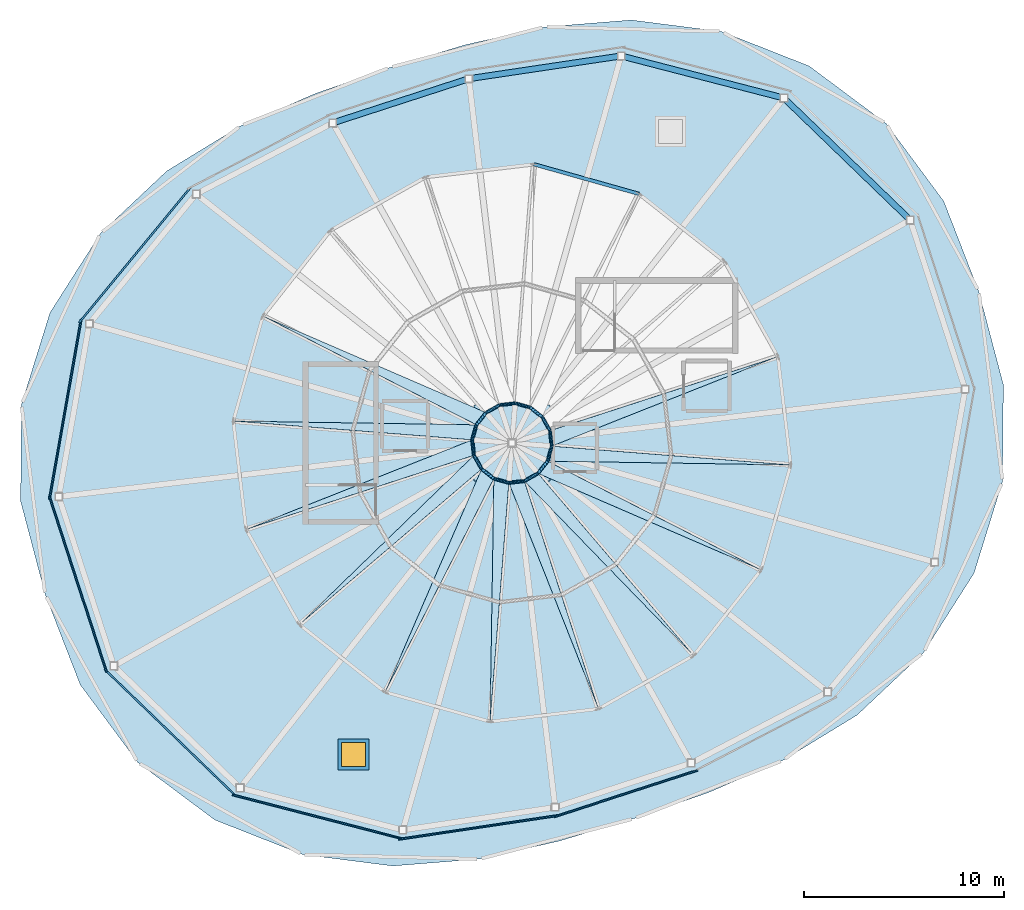
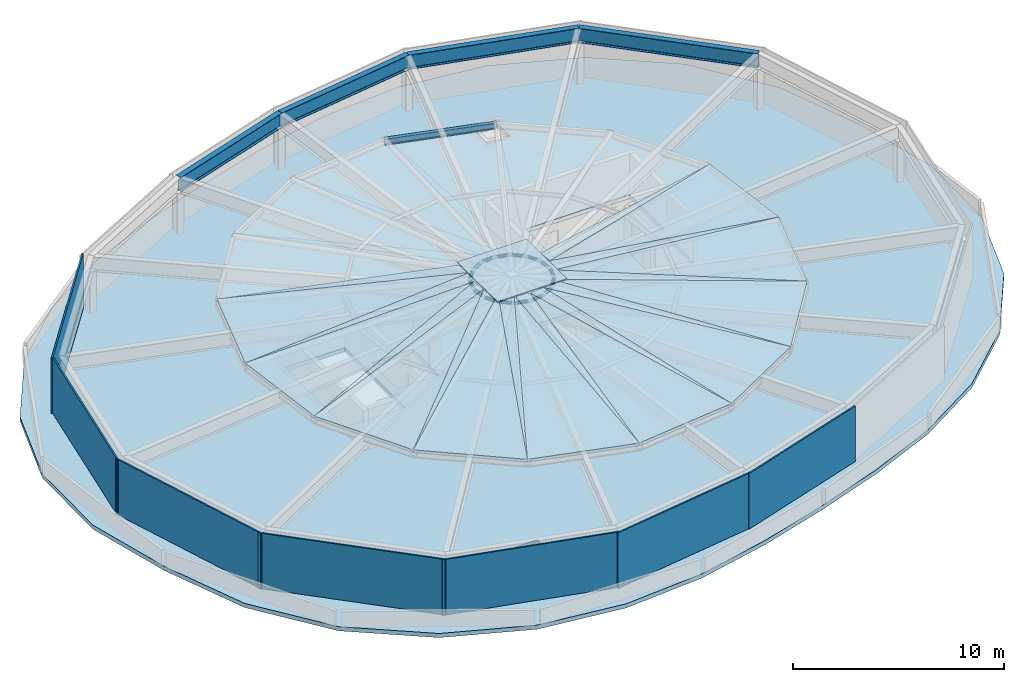
# One storey, part 3 of 9: 23 slabs, 16 members, 8 plates, 5 beams, 1 door, 1 opening.
"""IFC4 building model written with IfcOpenShell, lengths in metres."""

import ifcopenshell
import ifcopenshell.guid

model = None  # the IFC model being written
_history = None  # IfcOwnerHistory: only IFC2X3 demands one
_inside = {}  # id of a spatial element -> (the spatial element, [elements in it])
_under = {}  # id of a project, library or spatial element -> (it, [spatial elements below it])
_declared = {}  # id of a project -> (the project, [libraries it declares])
_typed = {}  # id of a type object -> (the type object, [elements of that type])
_made_of = {}  # id of a material, layer set ... -> (it, [elements and type objects made of it])


def new_model(schema):
    """Start an empty IFC model of exactly this schema.

    Asked for "IFC4X3", IfcOpenShell would pick the latest addendum, in which some entities
    have other attributes; the version numbers below select the first issue.
    IFC2X3 requires an IfcOwnerHistory on every rooted entity: one is made here for all.
    """
    global model, _history
    if schema == "IFC4X3":
        model = ifcopenshell.file(schema_version=(4, 3, 0, 0))
    else:
        model = ifcopenshell.file(schema=schema)
    _inside.clear()
    _under.clear()
    _declared.clear()
    _typed.clear()
    _made_of.clear()
    _history = None
    if model.schema == "IFC2X3":
        org = make("IfcOrganization", Name="unknown")
        user = make(
            "IfcPersonAndOrganization",
            ThePerson=make("IfcPerson", FamilyName="unknown"),
            TheOrganization=org,
        )
        app = make(
            "IfcApplication",
            ApplicationDeveloper=org,
            Version="unknown",
            ApplicationFullName="unknown",
            ApplicationIdentifier="unknown",
        )
        _history = make(
            "IfcOwnerHistory",
            OwningUser=user,
            OwningApplication=app,
            ChangeAction="ADDED",
            CreationDate=0,
        )
    return model


def make(cls, **values):
    """One entity of the class cls with the attributes given. An attribute that is None is left unset."""
    return model.create_entity(
        cls, **{name: value for name, value in values.items() if value is not None}
    )


def rooted(cls, **values):
    """An entity with a GlobalId (a new one), such as an element, a storey or a relation."""
    return make(cls, GlobalId=ifcopenshell.guid.new(), OwnerHistory=_history, **values)


def si_unit(unit_type, name, prefix=None):
    """IfcSIUnit, for example si_unit("LENGTHUNIT", "METRE", prefix="MILLI")."""
    return make("IfcSIUnit", UnitType=unit_type, Prefix=prefix, Name=name)


def assignment(units):
    """IfcUnitAssignment: the units of a project."""
    return None if units is None else make("IfcUnitAssignment", Units=units)


def point(xyz):
    """IfcCartesianPoint."""
    return None if xyz is None else make("IfcCartesianPoint", Coordinates=xyz)


def direction(xyz):
    """IfcDirection."""
    return None if xyz is None else make("IfcDirection", DirectionRatios=xyz)


def frame(location, z_axis=None, x_axis=None):
    """IfcAxis2Placement3D, a coordinate frame: its origin and axes. An axis left out is left unset."""
    return make(
        "IfcAxis2Placement3D",
        Location=point(location),
        Axis=direction(z_axis),
        RefDirection=direction(x_axis),
    )


def frame_2d(location, x_axis=None):
    """IfcAxis2Placement2D, a coordinate frame in the plane: its origin and x axis."""
    return make(
        "IfcAxis2Placement2D", Location=point(location), RefDirection=direction(x_axis)
    )


def origin():
    """The frame at (0, 0, 0) with its axes left unset."""
    return frame((0.0, 0.0, 0.0))


def origin_2d():
    """The frame at (0, 0) in the plane with its x axis left unset."""
    return frame_2d((0.0, 0.0))


def place(relative_to, where):
    """IfcLocalPlacement: puts the frame where relative to a parent placement (None: the world)."""
    return make(
        "IfcLocalPlacement", PlacementRelTo=relative_to, RelativePlacement=where
    )


def context(
    kind, dimensions, precision=None, world=None, true_north=None, identifier=None
):
    """IfcGeometricRepresentationContext, for example the 3D "Model" context."""
    return make(
        "IfcGeometricRepresentationContext",
        ContextIdentifier=identifier,
        ContextType=kind,
        CoordinateSpaceDimension=dimensions,
        Precision=precision,
        WorldCoordinateSystem=world,
        TrueNorth=true_north,
    )


def subcontext(parent, identifier, kind, view, scale=None):
    """IfcGeometricRepresentationSubContext, for example "Body" below "Model"."""
    return make(
        "IfcGeometricRepresentationSubContext",
        ContextIdentifier=identifier,
        ContextType=kind,
        ParentContext=parent,
        TargetScale=scale,
        TargetView=view,
    )


def project(units=None, contexts=None):
    """IfcProject with its units and contexts."""
    return rooted(
        "IfcProject",
        Name="project",
        RepresentationContexts=contexts,
        UnitsInContext=assignment(units),
    )


def spatial(cls, under=None, at=None, **own):
    """A site, building, storey or space (cls), placed at a placement, below another one or the project."""
    s = rooted(cls, ObjectPlacement=at, **own)
    if under is not None:
        _under.setdefault(under.id(), (under, []))[1].append(s)
    return s


def polyline(points):
    """IfcPolyline through the points."""
    return make("IfcPolyline", Points=[point(p) for p in points])


def profile(cls, at=None, kind="AREA", **sizes):
    """A parametric profile (cls). Its sizes go by their IFC names, for example OverallWidth=200.0."""
    return make(cls, ProfileType=kind, Position=at, **sizes)


def rectangle(**sizes):
    """IfcRectangleProfileDef."""
    return profile("IfcRectangleProfileDef", **sizes)


def hollow_circle(**sizes):
    """IfcCircleHollowProfileDef."""
    return profile("IfcCircleHollowProfileDef", **sizes)


def i_section(**sizes):
    """IfcIShapeProfileDef."""
    return profile("IfcIShapeProfileDef", **sizes)


def outline(outer, holes=None, kind="AREA"):
    """IfcArbitraryClosedProfileDef: a profile drawn as a closed curve; with holes, ...WithVoids."""
    if holes is None:
        return make("IfcArbitraryClosedProfileDef", ProfileType=kind, OuterCurve=outer)
    return make(
        "IfcArbitraryProfileDefWithVoids",
        ProfileType=kind,
        OuterCurve=outer,
        InnerCurves=holes,
    )


def extrude(swept, where, along, depth):
    """IfcExtrudedAreaSolid: the profile swept, set in the frame where, extruded along a direction by depth."""
    return make(
        "IfcExtrudedAreaSolid",
        SweptArea=swept,
        Position=where,
        ExtrudedDirection=direction(along),
        Depth=depth,
    )


def shape(context_of_items, identifier, shape_type, items):
    """IfcShapeRepresentation: the items that make up one representation, for example the "Body"."""
    return make(
        "IfcShapeRepresentation",
        ContextOfItems=context_of_items,
        RepresentationIdentifier=identifier,
        RepresentationType=shape_type,
        Items=items,
    )


def material(Name=None, Category=None):
    """IfcMaterial."""
    return make("IfcMaterial", Name=Name, Category=Category)


def layer(
    of_material, thickness, ventilated=None, Name=None, Category=None, Priority=None
):
    """IfcMaterialLayer: one layer of a wall or slab, of a material (None: an air gap)."""
    return make(
        "IfcMaterialLayer",
        Material=of_material,
        LayerThickness=thickness,
        IsVentilated=ventilated,
        Name=Name,
        Category=Category,
        Priority=Priority,
    )


def layer_set(layers, Name=None):
    """IfcMaterialLayerSet."""
    return make("IfcMaterialLayerSet", MaterialLayers=layers, LayerSetName=Name)


def material_profile(
    of_material, cross_section, Name=None, Category=None, Priority=None
):
    """IfcMaterialProfile: a cross section and its material."""
    return make(
        "IfcMaterialProfile",
        Name=Name,
        Material=of_material,
        Profile=cross_section,
        Priority=Priority,
        Category=Category,
    )


def profile_set(profiles, Name=None, composite=None):
    """IfcMaterialProfileSet."""
    return make(
        "IfcMaterialProfileSet",
        Name=Name,
        MaterialProfiles=profiles,
        CompositeProfile=composite,
    )


def made_of(thing, what):
    """Note that an element or type object is made of a material, layer set ...; save() writes the relation."""
    if what is not None:
        _made_of.setdefault(what.id(), (what, []))[1].append(thing)
    return thing


def type_object(cls, material=None, **own):
    """A type object (cls), such as IfcWallType, which elements share."""
    return made_of(rooted(cls, **own), material)


def element(
    cls,
    number,
    at=None,
    inside=None,
    cuts=None,
    type_object=None,
    material=None,
    context=None,
    identifier="Body",
    shape_type=None,
    held_by="IfcProductDefinitionShape",
    body=None,
    shapes=None,
    **own,
):
    """One element of the class cls, such as IfcWall. Its Tag is "e" and its number.

    at: its placement. inside: the storey or other place that contains it. cuts: it is an
    opening in that element (IfcRelVoidsElement). A single representation is given by context,
    identifier, shape_type and body (its items); several are given by shapes. held_by: the class
    of the entity that holds the representations. save() writes the other relations.
    """
    e = rooted(cls, Tag="e%d" % number, ObjectPlacement=at, **own)
    if body is not None:
        shapes = [shape(context, identifier, shape_type, body)]
    if shapes is not None:
        e.Representation = make(held_by, Representations=shapes)
    if inside is not None:
        _inside.setdefault(inside.id(), (inside, []))[1].append(e)
    if cuts is not None:
        rooted(
            "IfcRelVoidsElement", RelatingBuildingElement=cuts, RelatedOpeningElement=e
        )
    if type_object is not None:
        _typed.setdefault(type_object.id(), (type_object, []))[1].append(e)
    return made_of(e, material)


def fill(opening, filler):
    """IfcRelFillsElement: the door or window that sits in an opening."""
    return rooted(
        "IfcRelFillsElement",
        RelatingOpeningElement=opening,
        RelatedBuildingElement=filler,
    )


def aggregate(whole, parts):
    """IfcRelAggregates: a whole, such as a stair, and the parts it consists of."""
    return rooted("IfcRelAggregates", RelatingObject=whole, RelatedObjects=parts)


def save(model, path):
    """Write the relations noted so far, then the file.

    IfcRelAggregates (storeys below a building ...), IfcRelContainedInSpatialStructure (elements
    in a storey), IfcRelDefinesByType, IfcRelAssociatesMaterial and IfcRelDeclares: one each for
    every whole, place, type object, material and project.
    """
    for whole, parts in _under.values():
        aggregate(whole, parts)
    for where, things in _inside.values():
        rooted(
            "IfcRelContainedInSpatialStructure",
            RelatedElements=things,
            RelatingStructure=where,
        )
    for kind, things in _typed.values():
        rooted("IfcRelDefinesByType", RelatedObjects=things, RelatingType=kind)
    for what, things in _made_of.values():
        rooted("IfcRelAssociatesMaterial", RelatedObjects=things, RelatingMaterial=what)
    for by, libraries in _declared.values():
        rooted("IfcRelDeclares", RelatingContext=by, RelatedDefinitions=libraries)
    model.write(path)


model = new_model("IFC4")

# Units and contexts
model_context = context("Model", 3, precision=1e-05, world=origin(), true_north=direction((0.0, 1.0)))
body_context = subcontext(model_context, "Body", "Model", "MODEL_VIEW")
ifc_project = project(units=[si_unit("LENGTHUNIT", "METRE"), si_unit("AREAUNIT", "SQUARE_METRE"), si_unit("VOLUMEUNIT", "CUBIC_METRE"), si_unit("PLANEANGLEUNIT", "RADIAN"), si_unit("MASSUNIT", "GRAM", prefix="KILO")], contexts=[model_context])

# Site, building, storey
site_placement = place(None, origin())
site = spatial("IfcSite", under=ifc_project, at=site_placement, CompositionType="ELEMENT")
building_placement = place(site_placement, origin())
building = spatial("IfcBuilding", under=site, at=building_placement, Name="Kazma Halo Residences", CompositionType="ELEMENT")
storey_placement = place(building_placement, frame((0.0, 0.0, 377.60009765625)))
storey = spatial("IfcBuildingStorey", under=building, at=storey_placement, Name="Roof", CompositionType="ELEMENT", Elevation=377.60009765625)

# Beams
ifc_material_1 = material(Name="Steel S355", Category="steel")
ifc_material_profile_1 = material_profile(ifc_material_1, i_section(OverallWidth=0.299072265625, OverallDepth=0.845947265625, WebThickness=0.015380859375, FlangeThickness=0.0244140625, FilletRadius=0.02197265625, at=origin_2d()), Name="W840x210")
ifc_profile_set_1 = profile_set([ifc_material_profile_1], Name="Steel S355")
beam_type_1 = type_object("IfcBeamType", Name="BM-RING-W840", PredefinedType="BEAM", material=ifc_profile_set_1)
beam_1_placement = place(storey_placement, frame((67.940673828125, 53.167236328125, 2.77685546875), z_axis=(-0.719330630477, 0.694667866003, 0.0), x_axis=(-0.694667866003, -0.719330630477, 0.0)))
element("IfcBeam", 1, at=beam_1_placement, inside=storey, type_object=beam_type_1, Name="Crown top perimeter ring beam 01", PredefinedType="BEAM", context=body_context, shape_type="SweptSolid", body=[
    extrude(i_section(OverallWidth=0.299072265625, OverallDepth=0.845947265625, WebThickness=0.015380859375, FlangeThickness=0.0244140625, FilletRadius=0.02197265625, at=origin_2d()), origin(), (0.0, 0.0, 1.0), 8.79052734375),
])
beam_2_placement = place(storey_placement, frame((61.617431640625, 59.273681640625, 2.77685546875), z_axis=(-0.968129821283, 0.250448895271, 0.0), x_axis=(-0.250448895271, -0.968129821283, 0.0)))
element("IfcBeam", 2, at=beam_2_placement, inside=storey, type_object=beam_type_1, Name="Crown top perimeter ring beam 02", PredefinedType="BEAM", context=body_context, shape_type="SweptSolid", body=[
    extrude(i_section(OverallWidth=0.299072265625, OverallDepth=0.845947265625, WebThickness=0.015380859375, FlangeThickness=0.0244140625, FilletRadius=0.02197265625, at=origin_2d()), origin(), (0.0, 0.0, 1.0), 8.41943359375),
])
beam_3_placement = place(storey_placement, frame((53.46630859375, 61.38232421875, 2.77685546875), z_axis=(-0.989034152337, -0.147686984904, 0.0), x_axis=(0.147686984904, -0.989034152337, 0.0)))
element("IfcBeam", 3, at=beam_3_placement, inside=storey, type_object=beam_type_1, Name="Crown top perimeter ring beam 03", PredefinedType="BEAM", context=body_context, shape_type="SweptSolid", body=[
    extrude(i_section(OverallWidth=0.299072265625, OverallDepth=0.845947265625, WebThickness=0.015380859375, FlangeThickness=0.0244140625, FilletRadius=0.02197265625, at=origin_2d()), origin(), (0.0, 0.0, 1.0), 7.7099609375),
])
beam_4_placement = place(storey_placement, frame((45.8408203125, 60.24365234375, 2.77685546875), z_axis=(-0.951067102, -0.308984413026, 0.0), x_axis=(0.308984413026, -0.951067102, 0.0)))
element("IfcBeam", 4, at=beam_4_placement, inside=storey, type_object=beam_type_1, Name="Crown top perimeter ring beam 04", PredefinedType="BEAM", context=body_context, shape_type="SweptSolid", body=[
    extrude(i_section(OverallWidth=0.299072265625, OverallDepth=0.845947265625, WebThickness=0.015380859375, FlangeThickness=0.0244140625, FilletRadius=0.02197265625, at=origin_2d()), origin(), (0.0, 0.0, 1.0), 7.168212890625),
])
ifc_material_profile_2 = material_profile(ifc_material_1, i_section(OverallWidth=0.1708984375, OverallDepth=0.35498046875, WebThickness=0.007080078125, FlangeThickness=0.01171875, FilletRadius=0.013916015625, at=origin_2d()), Name="W360x51")
ifc_profile_set_2 = profile_set([ifc_material_profile_2], Name="Steel S355")
beam_type_2 = type_object("IfcBeamType", Name="BM-SPN-W360", PredefinedType="BEAM", material=ifc_profile_set_2)
beam_5_placement = place(storey_placement, frame((54.35595703125, 54.47412109375, 2.949951171875), z_axis=(-0.962461052499, 0.271419826878, 0.0), x_axis=(-0.271419826878, -0.962461052499, 0.0)))
element("IfcBeam", 5, at=beam_5_placement, inside=storey, type_object=beam_type_2, Name="Crown skylight eave ring beam 03", PredefinedType="BEAM", context=body_context, shape_type="SweptSolid", body=[
    extrude(i_section(OverallWidth=0.1708984375, OverallDepth=0.35498046875, WebThickness=0.007080078125, FlangeThickness=0.01171875, FilletRadius=0.013916015625, at=origin_2d()), origin(), (0.0, 0.0, 1.0), 5.462646484375),
])

# Members
ifc_material_profile_3 = material_profile(ifc_material_1, hollow_circle(Radius=0.084228515625, WallThickness=0.00634765625, at=origin_2d()), Name="CHS168.3x6.3")
ifc_profile_set_3 = profile_set([ifc_material_profile_3], Name="Steel S355")
member_type = type_object("IfcMemberType", Name="MBR-BRAC-CHS168", PredefinedType="COLLAR", material=ifc_profile_set_3)
member_1_placement = place(storey_placement, frame((49.902099609375, 42.617919921875, 3.841796875), z_axis=(-0.488641472077, 0.872484677095, 0.0), x_axis=(-0.872484677095, -0.488641472077, 0.0)))
element("IfcMember", 6, at=member_1_placement, inside=storey, type_object=member_type, Name="Crown skylight compression collar 01", PredefinedType="COLLAR", context=body_context, shape_type="SweptSolid", body=[
    extrude(hollow_circle(Radius=0.084228515625, WallThickness=0.00634765625, at=origin_2d()), origin(), (0.0, 0.0, 1.0), 0.780517578125),
])
for number, where, z_axis, x_axis, name in (
    (7, (49.520751953125, 43.298828125, 3.841796875), (-0.785275016084, 0.619147114275, 0.0), (-0.619147114275, -0.785275016084, 0.0), "Crown skylight compression collar 02"),
    (8, (48.907958984375, 43.781982421875, 3.841796875), (-0.96241613227, 0.271579064633, 0.0), (-0.271579064633, -0.96241613227, 0.0), "Crown skylight compression collar 03"),
    (9, (48.156982421875, 43.993896484375, 3.841796875), (-0.993056314699, -0.117639941502, 0.0), (0.117639941502, -0.993056314699, 0.0), "Crown skylight compression collar 04"),
):
    element("IfcMember", number, at=place(storey_placement, frame(where, z_axis=z_axis, x_axis=x_axis)), inside=storey, type_object=member_type, Name=name, PredefinedType="COLLAR", context=body_context, shape_type="SweptSolid", body=[
        extrude(hollow_circle(Radius=0.084228515625, WallThickness=0.00634765625, at=origin_2d()), origin(), (0.0, 0.0, 1.0), 0.7802734375),
    ])
member_2_placement = place(storey_placement, frame((47.382080078125, 43.902099609375, 3.841796875), z_axis=(-0.872484677095, -0.488641472077, 0.0), x_axis=(0.488641472077, -0.872484677095, 0.0)))
element("IfcMember", 10, at=member_2_placement, inside=storey, type_object=member_type, Name="Crown skylight compression collar 05", PredefinedType="COLLAR", context=body_context, shape_type="SweptSolid", body=[
    extrude(hollow_circle(Radius=0.084228515625, WallThickness=0.00634765625, at=origin_2d()), origin(), (0.0, 0.0, 1.0), 0.780517578125),
])
for number, where, z_axis, x_axis, name in (
    (11, (46.701171875, 43.520751953125, 3.841796875), (-0.619147114275, -0.785275016084, 0.0), (0.785275016084, -0.619147114275, 0.0), "Crown skylight compression collar 06"),
    (12, (46.218017578125, 42.907958984375, 3.841796875), (-0.271579064633, -0.96241613227, 0.0), (0.96241613227, -0.271579064633, 0.0), "Crown skylight compression collar 07"),
    (13, (46.006103515625, 42.156982421875, 3.841796875), (0.117639941502, -0.993056314699, 0.0), (0.993056314699, 0.117639941502, 0.0), "Crown skylight compression collar 08"),
):
    element("IfcMember", number, at=place(storey_placement, frame(where, z_axis=z_axis, x_axis=x_axis)), inside=storey, type_object=member_type, Name=name, PredefinedType="COLLAR", context=body_context, shape_type="SweptSolid", body=[
        extrude(hollow_circle(Radius=0.084228515625, WallThickness=0.00634765625, at=origin_2d()), origin(), (0.0, 0.0, 1.0), 0.7802734375),
    ])
member_3_placement = place(storey_placement, frame((46.097900390625, 41.382080078125, 3.841796875), z_axis=(0.488641472077, -0.872484677095, 0.0), x_axis=(0.872484677095, 0.488641472077, 0.0)))
element("IfcMember", 14, at=member_3_placement, inside=storey, type_object=member_type, Name="Crown skylight compression collar 09", PredefinedType="COLLAR", context=body_context, shape_type="SweptSolid", body=[
    extrude(hollow_circle(Radius=0.084228515625, WallThickness=0.00634765625, at=origin_2d()), origin(), (0.0, 0.0, 1.0), 0.780517578125),
])
for number, where, z_axis, x_axis, name in (
    (15, (46.479248046875, 40.701171875, 3.841796875), (0.785275016084, -0.619147114275, 0.0), (0.619147114275, 0.785275016084, 0.0), "Crown skylight compression collar 10"),
    (16, (47.092041015625, 40.218017578125, 3.841796875), (0.96241613227, -0.271579064633, 0.0), (0.271579064633, 0.96241613227, 0.0), "Crown skylight compression collar 11"),
    (17, (47.843017578125, 40.006103515625, 3.841796875), (0.993056314699, 0.117639941502, 0.0), (-0.117639941502, 0.993056314699, 0.0), "Crown skylight compression collar 12"),
):
    element("IfcMember", number, at=place(storey_placement, frame(where, z_axis=z_axis, x_axis=x_axis)), inside=storey, type_object=member_type, Name=name, PredefinedType="COLLAR", context=body_context, shape_type="SweptSolid", body=[
        extrude(hollow_circle(Radius=0.084228515625, WallThickness=0.00634765625, at=origin_2d()), origin(), (0.0, 0.0, 1.0), 0.7802734375),
    ])
member_4_placement = place(storey_placement, frame((48.617919921875, 40.097900390625, 3.841796875), z_axis=(0.872484677095, 0.488641472077, 0.0), x_axis=(-0.488641472077, 0.872484677095, 0.0)))
element("IfcMember", 18, at=member_4_placement, inside=storey, type_object=member_type, Name="Crown skylight compression collar 13", PredefinedType="COLLAR", context=body_context, shape_type="SweptSolid", body=[
    extrude(hollow_circle(Radius=0.084228515625, WallThickness=0.00634765625, at=origin_2d()), origin(), (0.0, 0.0, 1.0), 0.780517578125),
])
for number, where, z_axis, x_axis, name in (
    (19, (49.298828125, 40.479248046875, 3.841796875), (0.619147114275, 0.785275016084, 0.0), (-0.785275016084, 0.619147114275, 0.0), "Crown skylight compression collar 14"),
    (20, (49.781982421875, 41.092041015625, 3.841796875), (0.271579064633, 0.96241613227, 0.0), (-0.96241613227, 0.271579064633, 0.0), "Crown skylight compression collar 15"),
    (21, (49.993896484375, 41.843017578125, 3.841796875), (-0.117639941502, 0.993056314699, 0.0), (-0.993056314699, -0.117639941502, 0.0), "Crown skylight compression collar 16"),
):
    element("IfcMember", number, at=place(storey_placement, frame(where, z_axis=z_axis, x_axis=x_axis)), inside=storey, type_object=member_type, Name=name, PredefinedType="COLLAR", context=body_context, shape_type="SweptSolid", body=[
        extrude(hollow_circle(Radius=0.084228515625, WallThickness=0.00634765625, at=origin_2d()), origin(), (0.0, 0.0, 1.0), 0.7802734375),
    ])

# Plates
ifc_material_2 = material(Name="Aluminium AW-6063 T6 Perforated Acoustic Louvre Screen", Category="aluminium")
ifc_layer_1 = layer(ifc_material_2, 0.080078125)
ifc_layer_set_1 = layer_set([ifc_layer_1], Name="Aluminium AW-6063 T6 Perforated Acoustic Louvre Screen")
plate_type_1 = type_object("IfcPlateType", Name="PLT-CROWN-LOUVRE", PredefinedType="SHEET", material=ifc_layer_set_1)
plate_1_placement = place(storey_placement, frame((29.11376953125, 51.415283203125, 0.0), z_axis=(0.0, 0.0, 1.0), x_axis=(-0.636007787073, -0.771682638643, 0.0)))
element("IfcPlate", 22, at=plate_1_placement, inside=storey, type_object=plate_type_1, Name="Roof crown halo acoustic louvre screen 06", PredefinedType="SHEET", context=body_context, shape_type="SweptSolid", body=[
    extrude(rectangle(XDim=8.779296875, YDim=0.080078125, at=origin_2d()), origin(), (0.0, 0.0, 1.0), 3.199951171875),
])
plate_2_placement = place(storey_placement, frame((25.628173828125, 43.675048828125, 0.0), z_axis=(0.0, 0.0, 1.0), x_axis=(-0.173656186938, -0.984806340728, 0.0)))
element("IfcPlate", 23, at=plate_2_placement, inside=storey, type_object=plate_type_1, Name="Roof crown halo acoustic louvre screen 07", PredefinedType="SHEET", context=body_context, shape_type="SweptSolid", body=[
    extrude(rectangle(XDim=9.150390625, YDim=0.080078125, at=origin_2d()), origin(), (0.0, 0.0, 1.0), 3.199951171875),
])
plate_3_placement = place(storey_placement, frame((26.262939453125, 34.937255859375, 0.0), z_axis=(0.0, 0.0, 1.0), x_axis=(0.309022680214, -0.951054668835, 0.0)))
element("IfcPlate", 24, at=plate_3_placement, inside=storey, type_object=plate_type_1, Name="Roof crown halo acoustic louvre screen 08", PredefinedType="SHEET", context=body_context, shape_type="SweptSolid", body=[
    extrude(rectangle(XDim=9.277587890625, YDim=0.080078125, at=origin_2d()), origin(), (0.0, 0.0, 1.0), 3.199951171875),
])
plate_4_placement = place(storey_placement, frame((30.88525390625, 27.4951171875, 0.0), z_axis=(0.0, 0.0, 1.0), x_axis=(0.719342064482, -0.694656025863, 0.0)))
element("IfcPlate", 25, at=plate_4_placement, inside=storey, type_object=plate_type_1, Name="Roof crown halo acoustic louvre screen 09", PredefinedType="SHEET", context=body_context, shape_type="SweptSolid", body=[
    extrude(rectangle(XDim=9.150390625, YDim=0.080078125, at=origin_2d()), origin(), (0.0, 0.0, 1.0), 3.199951171875),
])
plate_5_placement = place(storey_placement, frame((38.2548828125, 23.28173828125, 0.0), z_axis=(0.0, 0.0, 1.0), x_axis=(0.968124370805, -0.250469963576, 0.0)))
element("IfcPlate", 26, at=plate_5_placement, inside=storey, type_object=plate_type_1, Name="Roof crown halo acoustic louvre screen 10", PredefinedType="SHEET", context=body_context, shape_type="SweptSolid", body=[
    extrude(rectangle(XDim=8.779296875, YDim=0.080078125, at=origin_2d()), origin(), (0.0, 0.0, 1.0), 3.199951171875),
])
plate_6_placement = place(storey_placement, frame((46.307861328125, 22.74853515625, 0.0), z_axis=(0.0, 0.0, 1.0), x_axis=(0.98903421845, 0.147686542161, 0.0)))
element("IfcPlate", 27, at=plate_6_placement, inside=storey, type_object=plate_type_1, Name="Roof crown halo acoustic louvre screen 11", PredefinedType="SHEET", context=body_context, shape_type="SweptSolid", body=[
    extrude(rectangle(XDim=8.0703125, YDim=0.080078125, at=origin_2d()), origin(), (0.0, 0.0, 1.0), 3.199951171875),
])
plate_7_placement = place(storey_placement, frame((53.703857421875, 24.4453125, 0.0), z_axis=(0.0, 0.0, 1.0), x_axis=(0.951058260985, 0.309011624721, 0.0)))
element("IfcPlate", 28, at=plate_7_placement, inside=storey, type_object=plate_type_1, Name="Roof crown halo acoustic louvre screen 12", PredefinedType="SHEET", context=body_context, shape_type="SweptSolid", body=[
    extrude(rectangle(XDim=7.528076171875, YDim=0.080078125, at=origin_2d()), origin(), (0.0, 0.0, 1.0), 3.199951171875),
])
ifc_layer_2 = layer(ifc_material_1, 0.0400390625)
ifc_layer_set_2 = layer_set([ifc_layer_2], Name="Steel S355")
plate_type_2 = type_object("IfcPlateType", Name="PLT-GUSSET-40", PredefinedType="SHEET", material=ifc_layer_set_2)
plate_8_placement = place(storey_placement, frame((48.0, 42.0, 4.281982421875), z_axis=(0.0, 0.0, 1.0), x_axis=(1.0, 0.0, 0.0)))
element("IfcPlate", 29, at=plate_8_placement, inside=storey, type_object=plate_type_2, Name="Crown central skylight welded steel cap plate", PredefinedType="SHEET", context=body_context, shape_type="SweptSolid", body=[
    extrude(rectangle(XDim=3.800048828125, YDim=3.800048828125, at=origin_2d()), origin(), (0.0, 0.0, 1.0), 0.06005859375),
])

# Slab
ifc_material_3 = material(Name="Concrete C50/60", Category="concrete")
ifc_layer_3 = layer(ifc_material_3, 0.239990234375)
ifc_layer_set_3 = layer_set([ifc_layer_3], Name="Concrete C50/60")
slab_type_1 = type_object("IfcSlabType", Name="SLB-ROOF-240", PredefinedType="ROOF", material=ifc_layer_set_3)
slab_1_placement = place(storey_placement, frame((0.0, 0.0, -0.239990234375)))
element("IfcSlab", 30, at=slab_1_placement, inside=storey, type_object=slab_type_1, Name="Crown maintenance roof structural deck slab", PredefinedType="ROOF", context=body_context, shape_type="SweptSolid", body=[
    extrude(outline(polyline([(71.375, 49.594970703125), (69.62158203125, 54.108642578125), (66.736572265625, 58.00244140625), (62.88232421875, 60.878173828125), (58.49951171875, 62.606201171875), (53.97412109375, 63.18310546875), (49.639892578125, 62.836181640625), (45.64013671875, 61.9384765625), (41.889892578125, 60.80517578125), (38.189697265625, 59.517578125), (34.426025390625, 57.89306640625), (30.7158203125, 55.625732421875), (27.393798828125, 52.49951171875), (24.863525390625, 48.525146484375), (23.435791015625, 43.93310546875), (23.390380859375, 39.08740234375), (24.625, 34.405029296875), (26.37841796875, 29.891357421875), (29.263427734375, 25.99755859375), (33.11767578125, 23.121826171875), (37.50048828125, 21.393798828125), (42.02587890625, 20.81689453125), (46.360107421875, 21.163818359375), (50.35986328125, 22.0615234375), (54.110107421875, 23.19482421875), (57.810302734375, 24.482421875), (61.573974609375, 26.10693359375), (65.2841796875, 28.374267578125), (68.606201171875, 31.50048828125), (71.136474609375, 35.474853515625), (72.564208984375, 40.06689453125), (72.609619140625, 44.91259765625), (71.375, 49.594970703125)]), holes=[polyline([(37.800048828125, 40.110107421875), (41.050048828125, 40.110107421875), (41.050048828125, 45.800048828125), (37.800048828125, 45.800048828125), (37.800048828125, 40.110107421875)]), polyline([(53.360107421875, 46.75), (59.050048828125, 46.75), (59.050048828125, 50.0), (53.360107421875, 50.0), (53.360107421875, 46.75)]), polyline([(41.52001953125, 41.6201171875), (43.780029296875, 41.6201171875), (43.780029296875, 44.080078125), (41.52001953125, 44.080078125), (41.52001953125, 41.6201171875)]), polyline([(56.6201171875, 43.6201171875), (58.8798828125, 43.6201171875), (58.8798828125, 46.080078125), (56.6201171875, 46.080078125), (56.6201171875, 43.6201171875)]), polyline([(50.070068359375, 40.570068359375), (52.22998046875, 40.570068359375), (52.22998046875, 42.929931640625), (50.070068359375, 42.929931640625), (50.070068359375, 40.570068359375)]), polyline([(55.3447265625, 56.99267578125), (56.544921875, 56.99267578125), (56.544921875, 58.192626953125), (55.3447265625, 58.192626953125), (55.3447265625, 56.99267578125)]), polyline([(39.455078125, 25.807373046875), (40.6552734375, 25.807373046875), (40.6552734375, 27.00732421875), (39.455078125, 27.00732421875), (39.455078125, 25.807373046875)])]), origin(), (0.0, 0.0, 1.0), 0.239990234375),
])

# Slab, opening, door
slab_2_placement = place(storey_placement, origin())
slab_2 = element("IfcSlab", 31, at=slab_2_placement, inside=storey, type_object=slab_type_1, Name="Crown roof hatch concrete upstand curb 2", PredefinedType="ROOF", context=body_context, shape_type="SweptSolid", body=[
    extrude(outline(polyline([(39.275146484375, 25.62744140625), (40.835205078125, 25.62744140625), (40.835205078125, 27.1875), (39.275146484375, 27.1875), (39.275146484375, 25.62744140625)])), origin(), (0.0, 0.0, 1.0), 0.25),
])
opening_placement = place(slab_2_placement, frame((40.05517578125, 26.407470703125, -0.010009765625)))
opening = element("IfcOpeningElement", 32, at=opening_placement, cuts=slab_2, Name="Opening DRH-1200", PredefinedType="OPENING", context=body_context, shape_type="SweptSolid", body=[
    extrude(rectangle(XDim=1.199951171875, YDim=1.199951171875, at=origin_2d()), origin(), (0.0, 0.0, 1.0), 0.27001953125),
])
ifc_material_4 = material(Name="Aluminium AW-6063 T6 Insulated Roof Hatch", Category="aluminium")
door_type = type_object("IfcDoorType", Name="DR-ROOF-HATCH-1200", OperationType="NOTDEFINED", PredefinedType="TRAPDOOR", material=ifc_material_4)
door_placement = place(slab_2_placement, frame((40.05517578125, 26.407470703125, 0.199951171875)))
door = element("IfcDoor", 33, at=door_placement, inside=storey, type_object=door_type, Name="Crown roof maintenance access hatch 2", OperationType="SINGLE_SWING_LEFT", OverallHeight=1.199951171875, OverallWidth=1.199951171875, PredefinedType="TRAPDOOR", context=body_context, shape_type="SweptSolid", body=[
    extrude(rectangle(XDim=1.199951171875, YDim=1.199951171875, at=origin_2d()), origin(), (0.0, 0.0, 1.0), 0.050048828125),
])
fill(opening, door)

# Slabs
ifc_material_5 = material(Name="Tempered Triple-Silver Structural Glass", Category="glass")
ifc_layer_4 = layer(ifc_material_5, 0.199951171875)
ifc_layer_set_4 = layer_set([ifc_layer_4], Name="Tempered Triple-Silver Structural Glass")
slab_type_2 = type_object("IfcSlabType", Name="SLB-SKYROOF-200", PredefinedType="ROOF", material=ifc_layer_set_4)
slab_3_placement = place(storey_placement, frame((35.52587890625, 48.35595703125, 3.199951171875), z_axis=(-0.072551365204, 0.057202849299, 0.995722920013), x_axis=(0.887337128587, -0.452127595032, 0.090628130521)))
element("IfcSlab", 34, at=slab_3_placement, inside=storey, type_object=slab_type_2, Name="Crown 5.2-deg faceted skylight inner panel 06", PredefinedType="ROOF", context=body_context, shape_type="SweptSolid", body=[
    extrude(outline(polyline([(0.0, 0.0), (12.0498046875, 0.0), (12.201416015625, 0.765380859375), (0.0, 0.0)])), origin(), (0.0, 0.0, -1.0), 0.199951171875),
])
slab_4_placement = place(storey_placement, frame((35.52587890625, 48.35595703125, 3.199951171875), z_axis=(-0.088920939508, 0.025076241729, 0.99572297785), x_axis=(-0.271419826878, -0.962461052499, 0.0)))
element("IfcSlab", 35, at=slab_4_placement, inside=storey, type_object=slab_type_2, Name="Crown 5.2-deg faceted skylight outer panel 07", PredefinedType="ROOF", context=body_context, shape_type="SweptSolid", body=[
    extrude(outline(polyline([(0.0, 0.0), (5.462646484375, 0.0), (2.34130859375, 11.820068359375), (0.0, 0.0)])), origin(), (0.0, 0.0, -1.0), 0.199951171875),
])
slab_5_placement = place(storey_placement, frame((34.043212890625, 43.098388671875, 3.199951171875), z_axis=(-0.088920658854, 0.025092045476, 0.995722604786), x_axis=(0.992815274889, -0.078128483673, 0.090629851522)))
element("IfcSlab", 36, at=slab_5_placement, inside=storey, type_object=slab_type_2, Name="Crown 5.2-deg faceted skylight inner panel 07", PredefinedType="ROOF", context=body_context, shape_type="SweptSolid", body=[
    extrude(outline(polyline([(0.0, 0.0), (12.049560546875, 0.0), (12.201171875, 0.765380859375), (0.0, 0.0)])), origin(), (0.0, 0.0, -1.0), 0.199951171875),
])
slab_6_placement = place(storey_placement, frame((34.043212890625, 43.098388671875, 3.199951171875), z_axis=(-0.091749901751, -0.010860175598, 0.99572285909), x_axis=(0.117546567675, -0.993067371545, 0.0)))
element("IfcSlab", 37, at=slab_6_placement, inside=storey, type_object=slab_type_2, Name="Crown 5.2-deg faceted skylight outer panel 08", PredefinedType="ROOF", context=body_context, shape_type="SweptSolid", body=[
    extrude(outline(polyline([(0.0, 0.0), (5.46240234375, 0.0), (2.341064453125, 11.81982421875), (0.0, 0.0)])), origin(), (0.0, 0.0, -1.0), 0.199951171875),
])
slab_7_placement = place(storey_placement, frame((34.685302734375, 37.673828125, 3.199951171875), z_axis=(-0.091746612266, -0.010868533778, 0.995723070995), x_axis=(0.947140814485, 0.307750862774, 0.090629377127)))
element("IfcSlab", 38, at=slab_7_placement, inside=storey, type_object=slab_type_2, Name="Crown 5.2-deg faceted skylight inner panel 08", PredefinedType="ROOF", context=body_context, shape_type="SweptSolid", body=[
    extrude(outline(polyline([(0.0, 0.0), (12.049560546875, 0.0), (12.201171875, 0.765380859375), (0.0, 0.0)])), origin(), (0.0, 0.0, -1.0), 0.199951171875),
])
slab_8_placement = place(storey_placement, frame((34.685302734375, 37.673828125, 3.199951171875), z_axis=(-0.0806106896, -0.045140664825, 0.995722972067), x_axis=(0.488592481248, -0.872512112964, 0.0)))
element("IfcSlab", 39, at=slab_8_placement, inside=storey, type_object=slab_type_2, Name="Crown 5.2-deg faceted skylight outer panel 09", PredefinedType="ROOF", context=body_context, shape_type="SweptSolid", body=[
    extrude(outline(polyline([(0.0, 0.0), (5.46240234375, 0.0), (2.340576171875, 11.820068359375), (0.0, 0.0)])), origin(), (0.0, 0.0, -1.0), 0.199951171875),
])
slab_9_placement = place(storey_placement, frame((37.354248046875, 32.90771484375, 3.199951171875), z_axis=(-0.08060696463, -0.045144524472, 0.995723098639), x_axis=(0.75727796681, 0.646774059731, 0.090627791779)))
element("IfcSlab", 40, at=slab_9_placement, inside=storey, type_object=slab_type_2, Name="Crown 5.2-deg faceted skylight inner panel 09", PredefinedType="ROOF", context=body_context, shape_type="SweptSolid", body=[
    extrude(outline(polyline([(0.0, 0.0), (12.0498046875, 0.0), (12.201416015625, 0.765625), (0.0, 0.0)])), origin(), (0.0, 0.0, -1.0), 0.199951171875),
])
slab_10_placement = place(storey_placement, frame((37.354248046875, 32.90771484375, 3.199951171875), z_axis=(-0.057197351045, -0.072553757957, 0.995723061518), x_axis=(0.785313877715, -0.619097822213, 0.0)))
element("IfcSlab", 41, at=slab_10_placement, inside=storey, type_object=slab_type_2, Name="Crown 5.2-deg faceted skylight outer panel 10", PredefinedType="ROOF", context=body_context, shape_type="SweptSolid", body=[
    extrude(outline(polyline([(0.0, 0.0), (5.46240234375, 0.0), (2.341064453125, 11.820068359375), (0.0, 0.0)])), origin(), (0.0, 0.0, -1.0), 0.199951171875),
])
slab_11_placement = place(storey_placement, frame((41.64404296875, 29.52587890625, 3.199951171875), z_axis=(-0.057202849299, -0.072551365204, 0.995722920013), x_axis=(0.452127595032, 0.887337128587, 0.090628130521)))
element("IfcSlab", 42, at=slab_11_placement, inside=storey, type_object=slab_type_2, Name="Crown 5.2-deg faceted skylight inner panel 10", PredefinedType="ROOF", context=body_context, shape_type="SweptSolid", body=[
    extrude(outline(polyline([(0.0, 0.0), (12.0498046875, 0.0), (12.201416015625, 0.765380859375), (0.0, 0.0)])), origin(), (0.0, 0.0, -1.0), 0.199951171875),
])
slab_12_placement = place(storey_placement, frame((41.64404296875, 29.52587890625, 3.199951171875), z_axis=(-0.025076241729, -0.088920939508, 0.99572297785), x_axis=(0.962461052499, -0.271419826878, 0.0)))
element("IfcSlab", 43, at=slab_12_placement, inside=storey, type_object=slab_type_2, Name="Crown 5.2-deg faceted skylight outer panel 11", PredefinedType="ROOF", context=body_context, shape_type="SweptSolid", body=[
    extrude(outline(polyline([(0.0, 0.0), (5.462646484375, 0.0), (2.34130859375, 11.820068359375), (0.0, 0.0)])), origin(), (0.0, 0.0, -1.0), 0.199951171875),
])
slab_13_placement = place(storey_placement, frame((46.901611328125, 28.043212890625, 3.199951171875), z_axis=(-0.025092045476, -0.088920658854, 0.995722604786), x_axis=(0.078128483673, 0.992815274889, 0.090629851522)))
element("IfcSlab", 44, at=slab_13_placement, inside=storey, type_object=slab_type_2, Name="Crown 5.2-deg faceted skylight inner panel 11", PredefinedType="ROOF", context=body_context, shape_type="SweptSolid", body=[
    extrude(outline(polyline([(0.0, 0.0), (12.049560546875, 0.0), (12.201171875, 0.765380859375), (0.0, 0.0)])), origin(), (0.0, 0.0, -1.0), 0.199951171875),
])
slab_14_placement = place(storey_placement, frame((46.901611328125, 28.043212890625, 3.199951171875), z_axis=(0.010860175598, -0.091749901751, 0.99572285909), x_axis=(0.993067371545, 0.117546567675, 0.0)))
element("IfcSlab", 45, at=slab_14_placement, inside=storey, type_object=slab_type_2, Name="Crown 5.2-deg faceted skylight outer panel 12", PredefinedType="ROOF", context=body_context, shape_type="SweptSolid", body=[
    extrude(outline(polyline([(0.0, 0.0), (5.46240234375, 0.0), (2.341064453125, 11.81982421875), (0.0, 0.0)])), origin(), (0.0, 0.0, -1.0), 0.199951171875),
])
slab_15_placement = place(storey_placement, frame((52.326171875, 28.685302734375, 3.199951171875), z_axis=(0.010868533778, -0.091746612266, 0.995723070995), x_axis=(-0.307750862774, 0.947140814485, 0.090629377127)))
element("IfcSlab", 46, at=slab_15_placement, inside=storey, type_object=slab_type_2, Name="Crown 5.2-deg faceted skylight inner panel 12", PredefinedType="ROOF", context=body_context, shape_type="SweptSolid", body=[
    extrude(outline(polyline([(0.0, 0.0), (12.049560546875, 0.0), (12.201171875, 0.765380859375), (0.0, 0.0)])), origin(), (0.0, 0.0, -1.0), 0.199951171875),
])
slab_16_placement = place(storey_placement, frame((52.326171875, 28.685302734375, 3.199951171875), z_axis=(0.045140664825, -0.0806106896, 0.995722972067), x_axis=(0.872512112964, 0.488592481248, 0.0)))
element("IfcSlab", 47, at=slab_16_placement, inside=storey, type_object=slab_type_2, Name="Crown 5.2-deg faceted skylight outer panel 13", PredefinedType="ROOF", context=body_context, shape_type="SweptSolid", body=[
    extrude(outline(polyline([(0.0, 0.0), (5.46240234375, 0.0), (2.340576171875, 11.820068359375), (0.0, 0.0)])), origin(), (0.0, 0.0, -1.0), 0.199951171875),
])
slab_17_placement = place(storey_placement, frame((57.09228515625, 31.354248046875, 3.199951171875), z_axis=(0.045144524472, -0.08060696463, 0.995723098639), x_axis=(-0.646774059731, 0.75727796681, 0.090627791779)))
element("IfcSlab", 48, at=slab_17_placement, inside=storey, type_object=slab_type_2, Name="Crown 5.2-deg faceted skylight inner panel 13", PredefinedType="ROOF", context=body_context, shape_type="SweptSolid", body=[
    extrude(outline(polyline([(0.0, 0.0), (12.0498046875, 0.0), (12.201416015625, 0.765625), (0.0, 0.0)])), origin(), (0.0, 0.0, -1.0), 0.199951171875),
])
slab_18_placement = place(storey_placement, frame((57.09228515625, 31.354248046875, 3.199951171875), z_axis=(0.072553757957, -0.057197351045, 0.995723061518), x_axis=(0.619097822213, 0.785313877715, 0.0)))
element("IfcSlab", 49, at=slab_18_placement, inside=storey, type_object=slab_type_2, Name="Crown 5.2-deg faceted skylight outer panel 14", PredefinedType="ROOF", context=body_context, shape_type="SweptSolid", body=[
    extrude(outline(polyline([(0.0, 0.0), (5.46240234375, 0.0), (2.341064453125, 11.820068359375), (0.0, 0.0)])), origin(), (0.0, 0.0, -1.0), 0.199951171875),
])
slab_19_placement = place(storey_placement, frame((60.47412109375, 35.64404296875, 3.199951171875), z_axis=(0.072551365204, -0.057202849299, 0.995722920013), x_axis=(-0.887337128587, 0.452127595032, 0.090628130521)))
element("IfcSlab", 50, at=slab_19_placement, inside=storey, type_object=slab_type_2, Name="Crown 5.2-deg faceted skylight inner panel 14", PredefinedType="ROOF", context=body_context, shape_type="SweptSolid", body=[
    extrude(outline(polyline([(0.0, 0.0), (12.0498046875, 0.0), (12.201416015625, 0.765380859375), (0.0, 0.0)])), origin(), (0.0, 0.0, -1.0), 0.199951171875),
])
slab_20_placement = place(storey_placement, frame((60.47412109375, 35.64404296875, 3.199951171875), z_axis=(0.088920939508, -0.025076241729, 0.99572297785), x_axis=(0.271419826878, 0.962461052499, 0.0)))
element("IfcSlab", 51, at=slab_20_placement, inside=storey, type_object=slab_type_2, Name="Crown 5.2-deg faceted skylight outer panel 15", PredefinedType="ROOF", context=body_context, shape_type="SweptSolid", body=[
    extrude(outline(polyline([(0.0, 0.0), (5.462646484375, 0.0), (2.34130859375, 11.820068359375), (0.0, 0.0)])), origin(), (0.0, 0.0, -1.0), 0.199951171875),
])
slab_21_placement = place(storey_placement, frame((61.956787109375, 40.901611328125, 3.199951171875), z_axis=(0.088920658854, -0.025092045476, 0.995722604786), x_axis=(-0.992815274889, 0.078128483673, 0.090629851522)))
element("IfcSlab", 52, at=slab_21_placement, inside=storey, type_object=slab_type_2, Name="Crown 5.2-deg faceted skylight inner panel 15", PredefinedType="ROOF", context=body_context, shape_type="SweptSolid", body=[
    extrude(outline(polyline([(0.0, 0.0), (12.049560546875, 0.0), (12.201171875, 0.765380859375), (0.0, 0.0)])), origin(), (0.0, 0.0, -1.0), 0.199951171875),
])
slab_22_placement = place(storey_placement, frame((61.956787109375, 40.901611328125, 3.199951171875), z_axis=(0.091749901751, 0.010860175598, 0.99572285909), x_axis=(-0.117546567675, 0.993067371545, 0.0)))
element("IfcSlab", 53, at=slab_22_placement, inside=storey, type_object=slab_type_2, Name="Crown 5.2-deg faceted skylight outer panel 16", PredefinedType="ROOF", context=body_context, shape_type="SweptSolid", body=[
    extrude(outline(polyline([(0.0, 0.0), (5.46240234375, 0.0), (2.341064453125, 11.81982421875), (0.0, 0.0)])), origin(), (0.0, 0.0, -1.0), 0.199951171875),
])
slab_23_placement = place(storey_placement, frame((61.314697265625, 46.326171875, 3.199951171875), z_axis=(0.091746612266, 0.010868533778, 0.995723070995), x_axis=(-0.947140814485, -0.307750862774, 0.090629377127)))
element("IfcSlab", 54, at=slab_23_placement, inside=storey, type_object=slab_type_2, Name="Crown 5.2-deg faceted skylight inner panel 16", PredefinedType="ROOF", context=body_context, shape_type="SweptSolid", body=[
    extrude(outline(polyline([(0.0, 0.0), (12.049560546875, 0.0), (12.201171875, 0.765380859375), (0.0, 0.0)])), origin(), (0.0, 0.0, -1.0), 0.199951171875),
])

save(model, "model.ifc")
